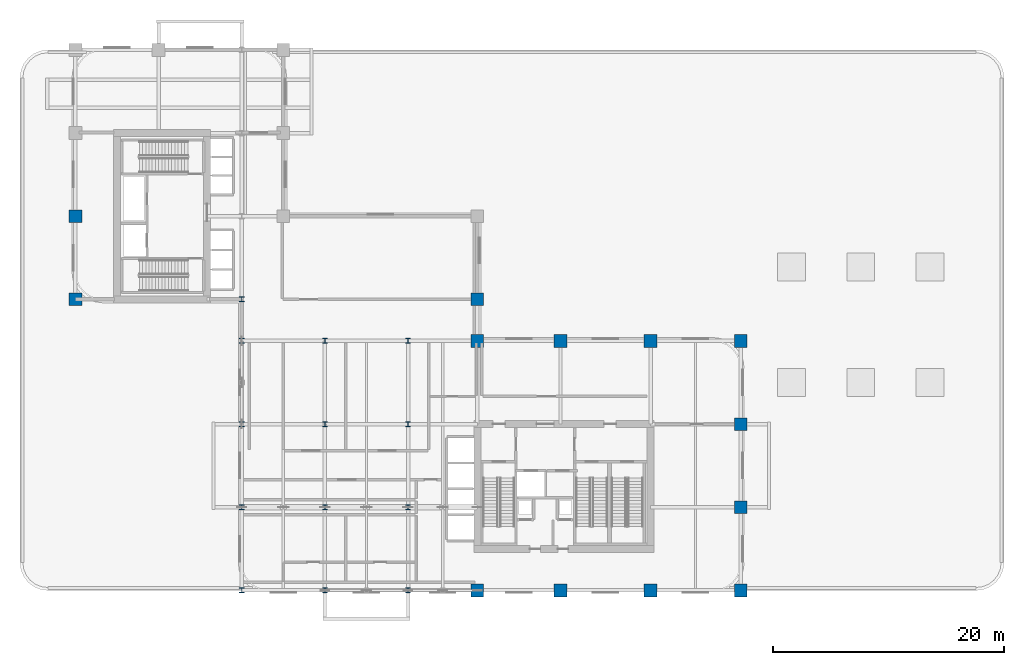
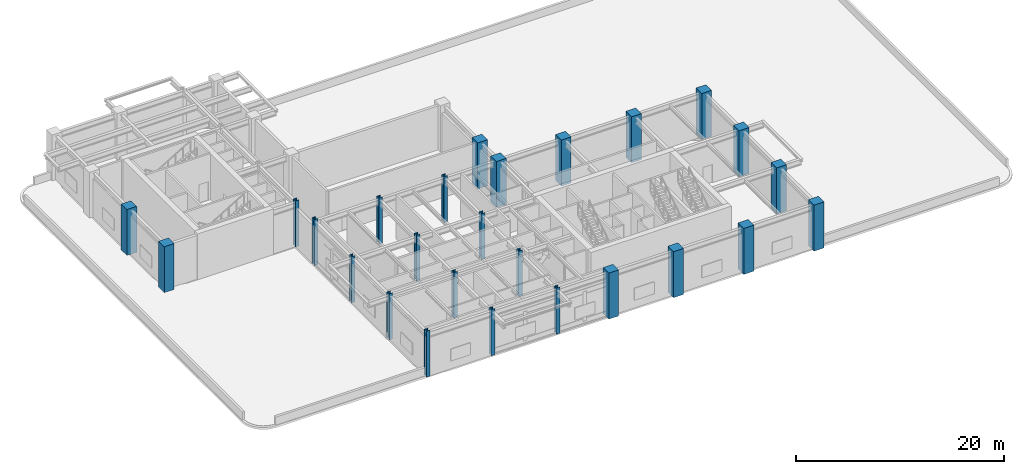
# One storey, part 1 of 14: 26 columns.
"""IFC4 building model written with IfcOpenShell, lengths in metres."""

from ifc_helpers import new_model, si_unit, derived_unit, direction, frame, origin, origin_2d, place, context, subcontext, project, spatial, rectangle, i_section, extrude, source, transform, mapped, material, material_profile, profile_set, type_object, type_shapes, element, save


model = new_model("IFC4")

# Units and contexts
model_context = context("Model", 3, precision=1e-05, world=origin(), true_north=direction((0.0, 1.0)))
body_context = subcontext(model_context, "Body", "Model", "MODEL_VIEW")
ifc_project = project(units=[si_unit("LENGTHUNIT", "METRE"), si_unit("AREAUNIT", "SQUARE_METRE"), si_unit("VOLUMEUNIT", "CUBIC_METRE"), si_unit("PLANEANGLEUNIT", "RADIAN"), si_unit("MASSUNIT", "GRAM", prefix="KILO"), si_unit("THERMODYNAMICTEMPERATUREUNIT", "KELVIN"), si_unit("POWERUNIT", "WATT"), derived_unit("THERMALTRANSMITTANCEUNIT", [(si_unit("POWERUNIT", "WATT"), 1), (si_unit("AREAUNIT", "SQUARE_METRE"), -1), (si_unit("THERMODYNAMICTEMPERATUREUNIT", "KELVIN"), -1)])], contexts=[model_context])

# Site, building, storey
site_placement = place(None, origin())
site = spatial("IfcSite", under=ifc_project, at=site_placement, CompositionType="ELEMENT")
building_placement = place(site_placement, origin())
building = spatial("IfcBuilding", under=site, at=building_placement, Name="Zahravan Archway Hotel and Residences", CompositionType="ELEMENT")
storey_placement = place(building_placement, frame((0.0, 0.0, 27.0)))
storey = spatial("IfcBuildingStorey", under=building, at=storey_placement, Name="L05", CompositionType="ELEMENT", Elevation=27.0)

# Columns
ifc_material_1 = material(Name="Concrete C70/85", Category="concrete")
ifc_material_profile_1 = material_profile(ifc_material_1, rectangle(XDim=1.10009765625, YDim=1.10009765625, at=origin_2d()), Name="RC 1100x1100", Category="concrete")
ifc_profile_set_1 = profile_set([ifc_material_profile_1], Name="Concrete C70/85")
column_type_1 = type_object("IfcColumnType", Name="COL-RC-1100", PredefinedType="COLUMN", material=ifc_profile_set_1)
shared_shape_1 = source(origin(), body_context, "Body", "SweptSolid", [
    extrude(rectangle(XDim=1.10009765625, YDim=1.10009765625, at=origin_2d()), origin(), (0.0, 0.0, 1.0), 5.39990234375),
])
for number, where, z_axis, x_axis, name in (
    (1, (0.0, 25.199951171875, 0.0), (0.0, 0.0, 1.0), (1.0, 0.0, 0.0), "L05 Column 1-E"),
    (2, (0.0, 32.39990234375, 0.0), (0.0, 0.0, 1.0), (1.0, 0.0, 0.0), "L05 Column 1-F"),
    (3, (34.800048828125, 0.0, 0.0), (0.0, 0.0, 1.0), (1.0, 0.0, 0.0), "L05 Column 6-A"),
    (4, (34.800048828125, 21.60009765625, 0.0), (0.0, 0.0, 1.0), (1.0, 0.0, 0.0), "L05 Column 6-D"),
    (5, (34.800048828125, 25.199951171875, 0.0), (0.0, 0.0, 1.0), (1.0, 0.0, 0.0), "L05 Column 6-E"),
    (6, (42.0, 0.0, 0.0), (0.0, 0.0, 1.0), (1.0, 0.0, 0.0), "L05 Column 7-A"),
    (7, (42.0, 21.60009765625, 0.0), (0.0, 0.0, 1.0), (1.0, 0.0, 0.0), "L05 Column 7-D"),
    (8, (49.800048828125, 0.0, 0.0), (0.0, 0.0, 1.0), (1.0, 0.0, 0.0), "L05 Column 8-A"),
    (9, (49.800048828125, 21.60009765625, 0.0), (0.0, 0.0, 1.0), (1.0, 0.0, 0.0), "L05 Column 8-D"),
    (10, (57.60009765625, 0.0, 0.0), (0.0, 0.0, 1.0), (1.0, 0.0, 0.0), "L05 Column 9-A"),
    (11, (57.60009765625, 7.199951171875, 0.0), (0.0, 0.0, 1.0), (1.0, 0.0, 0.0), "L05 Column 9-B"),
    (12, (57.60009765625, 14.39990234375, 0.0), (0.0, 0.0, 1.0), (1.0, 0.0, 0.0), "L05 Column 9-C"),
    (13, (57.60009765625, 21.60009765625, 0.0), (0.0, 0.0, 1.0), (1.0, 0.0, 0.0), "L05 Column 9-D"),
):
    element("IfcColumn", number, at=place(storey_placement, frame(where, z_axis=z_axis, x_axis=x_axis)), inside=storey, type_object=column_type_1, Name=name, PredefinedType="COLUMN", context=body_context, shape_type="MappedRepresentation", body=[
        mapped(shared_shape_1, transform((0.0, 0.0, 0.0), scale=1.0)),
    ])
ifc_material_2 = material(Name="Structural Steel S460M", Category="steel")
ifc_material_profile_2 = material_profile(ifc_material_2, i_section(OverallWidth=0.408935546875, OverallDepth=0.425048828125, WebThickness=0.0244140625, FlangeThickness=0.0390625, FilletRadius=0.014892578125, at=origin_2d()), Name="HD 400x421", Category="steel")
ifc_profile_set_2 = profile_set([ifc_material_profile_2], Name="Structural Steel S460M")
column_type_2 = type_object("IfcColumnType", Name="COL-STL-HD400", PredefinedType="COLUMN", material=ifc_profile_set_2)
shared_shape_2 = source(origin(), body_context, "Body", "SweptSolid", [
    extrude(i_section(OverallWidth=0.408935546875, OverallDepth=0.425048828125, WebThickness=0.0244140625, FlangeThickness=0.0390625, FilletRadius=0.014892578125, at=origin_2d()), origin(), (0.0, 0.0, 1.0), 5.39990234375),
])
type_shapes(column_type_2, [shared_shape_2])
for number, where, z_axis, x_axis, name in (
    (14, (14.39990234375, 0.0, 0.0), (0.0, 0.0, 1.0), (1.0, 0.0, 0.0), "L05 Column 3-A"),
    (15, (14.39990234375, 7.199951171875, 0.0), (0.0, 0.0, 1.0), (1.0, 0.0, 0.0), "L05 Column 3-B"),
    (16, (14.39990234375, 14.39990234375, 0.0), (0.0, 0.0, 1.0), (1.0, 0.0, 0.0), "L05 Column 3-C"),
    (17, (14.39990234375, 21.60009765625, 0.0), (0.0, 0.0, 1.0), (1.0, 0.0, 0.0), "L05 Column 3-D"),
    (18, (14.39990234375, 25.199951171875, 0.0), (0.0, 0.0, 1.0), (1.0, 0.0, 0.0), "L05 Column 3-E"),
    (19, (21.60009765625, 0.0, 0.0), (0.0, 0.0, 1.0), (1.0, 0.0, 0.0), "L05 Column 4-A"),
    (20, (21.60009765625, 7.199951171875, 0.0), (0.0, 0.0, 1.0), (1.0, 0.0, 0.0), "L05 Column 4-B"),
    (21, (21.60009765625, 14.39990234375, 0.0), (0.0, 0.0, 1.0), (1.0, 0.0, 0.0), "L05 Column 4-C"),
    (22, (21.60009765625, 21.60009765625, 0.0), (0.0, 0.0, 1.0), (1.0, 0.0, 0.0), "L05 Column 4-D"),
    (23, (28.800048828125, 0.0, 0.0), (0.0, 0.0, 1.0), (1.0, 0.0, 0.0), "L05 Column 5-A"),
    (24, (28.800048828125, 7.199951171875, 0.0), (0.0, 0.0, 1.0), (1.0, 0.0, 0.0), "L05 Column 5-B"),
    (25, (28.800048828125, 14.39990234375, 0.0), (0.0, 0.0, 1.0), (1.0, 0.0, 0.0), "L05 Column 5-C"),
    (26, (28.800048828125, 21.60009765625, 0.0), (0.0, 0.0, 1.0), (1.0, 0.0, 0.0), "L05 Column 5-D"),
):
    element("IfcColumn", number, at=place(storey_placement, frame(where, z_axis=z_axis, x_axis=x_axis)), inside=storey, type_object=column_type_2, Name=name, PredefinedType="COLUMN", context=body_context, shape_type="MappedRepresentation", body=[
        mapped(shared_shape_2, transform((0.0, 0.0, 0.0), scale=1.0)),
    ])

save(model, "model.ifc")
